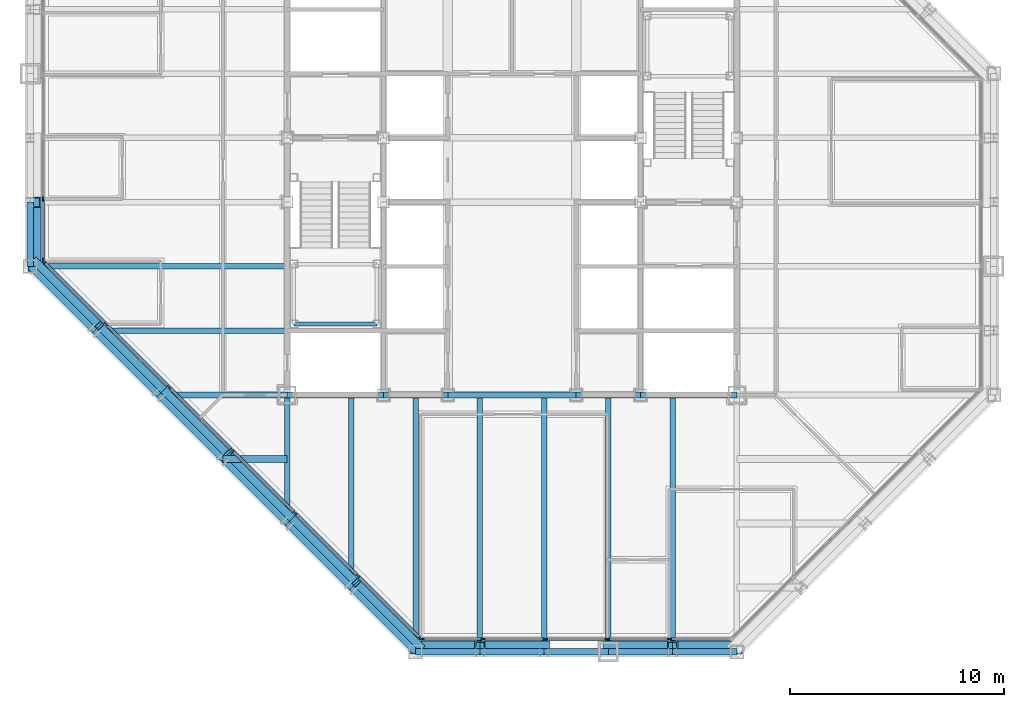
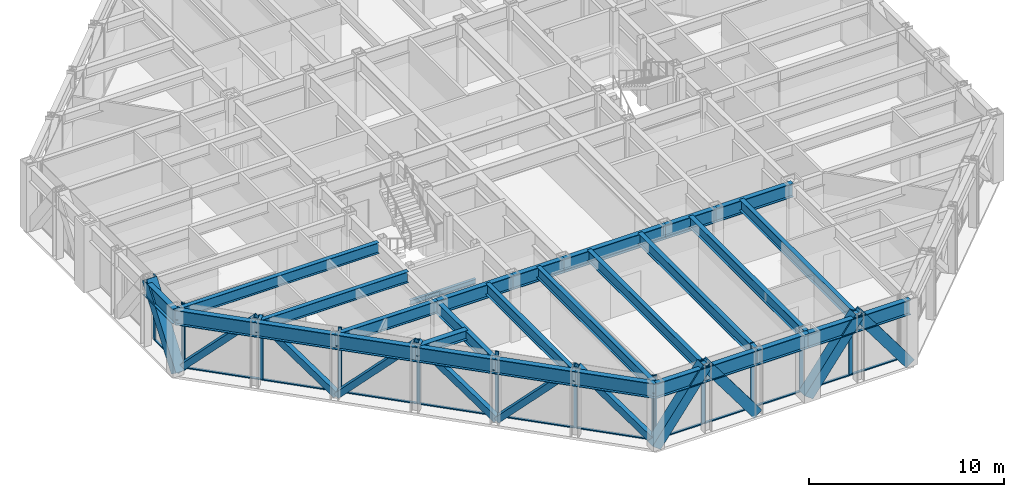
# One storey, part 5 of 16: 37 members, 29 beams, 3 elements without a shape of their own.
"""IFC4 building model written with IfcOpenShell, lengths in metres."""

import ifcopenshell
import ifcopenshell.guid

model = None  # the IFC model being written
_history = None  # IfcOwnerHistory: only IFC2X3 demands one
_inside = {}  # id of a spatial element -> (the spatial element, [elements in it])
_under = {}  # id of a project, library or spatial element -> (it, [spatial elements below it])
_declared = {}  # id of a project -> (the project, [libraries it declares])
_typed = {}  # id of a type object -> (the type object, [elements of that type])
_made_of = {}  # id of a material, layer set ... -> (it, [elements and type objects made of it])


def new_model(schema):
    """Start an empty IFC model of exactly this schema.

    Asked for "IFC4X3", IfcOpenShell would pick the latest addendum, in which some entities
    have other attributes; the version numbers below select the first issue.
    IFC2X3 requires an IfcOwnerHistory on every rooted entity: one is made here for all.
    """
    global model, _history
    if schema == "IFC4X3":
        model = ifcopenshell.file(schema_version=(4, 3, 0, 0))
    else:
        model = ifcopenshell.file(schema=schema)
    _inside.clear()
    _under.clear()
    _declared.clear()
    _typed.clear()
    _made_of.clear()
    _history = None
    if model.schema == "IFC2X3":
        org = make("IfcOrganization", Name="unknown")
        user = make(
            "IfcPersonAndOrganization",
            ThePerson=make("IfcPerson", FamilyName="unknown"),
            TheOrganization=org,
        )
        app = make(
            "IfcApplication",
            ApplicationDeveloper=org,
            Version="unknown",
            ApplicationFullName="unknown",
            ApplicationIdentifier="unknown",
        )
        _history = make(
            "IfcOwnerHistory",
            OwningUser=user,
            OwningApplication=app,
            ChangeAction="ADDED",
            CreationDate=0,
        )
    return model


def make(cls, **values):
    """One entity of the class cls with the attributes given. An attribute that is None is left unset."""
    return model.create_entity(
        cls, **{name: value for name, value in values.items() if value is not None}
    )


def rooted(cls, **values):
    """An entity with a GlobalId (a new one), such as an element, a storey or a relation."""
    return make(cls, GlobalId=ifcopenshell.guid.new(), OwnerHistory=_history, **values)


def si_unit(unit_type, name, prefix=None):
    """IfcSIUnit, for example si_unit("LENGTHUNIT", "METRE", prefix="MILLI")."""
    return make("IfcSIUnit", UnitType=unit_type, Prefix=prefix, Name=name)


def assignment(units):
    """IfcUnitAssignment: the units of a project."""
    return None if units is None else make("IfcUnitAssignment", Units=units)


def point(xyz):
    """IfcCartesianPoint."""
    return None if xyz is None else make("IfcCartesianPoint", Coordinates=xyz)


def direction(xyz):
    """IfcDirection."""
    return None if xyz is None else make("IfcDirection", DirectionRatios=xyz)


def frame(location, z_axis=None, x_axis=None):
    """IfcAxis2Placement3D, a coordinate frame: its origin and axes. An axis left out is left unset."""
    return make(
        "IfcAxis2Placement3D",
        Location=point(location),
        Axis=direction(z_axis),
        RefDirection=direction(x_axis),
    )


def frame_2d(location, x_axis=None):
    """IfcAxis2Placement2D, a coordinate frame in the plane: its origin and x axis."""
    return make(
        "IfcAxis2Placement2D", Location=point(location), RefDirection=direction(x_axis)
    )


def origin():
    """The frame at (0, 0, 0) with its axes left unset."""
    return frame((0.0, 0.0, 0.0))


def origin_2d():
    """The frame at (0, 0) in the plane with its x axis left unset."""
    return frame_2d((0.0, 0.0))


def place(relative_to, where):
    """IfcLocalPlacement: puts the frame where relative to a parent placement (None: the world)."""
    return make(
        "IfcLocalPlacement", PlacementRelTo=relative_to, RelativePlacement=where
    )


def context(
    kind, dimensions, precision=None, world=None, true_north=None, identifier=None
):
    """IfcGeometricRepresentationContext, for example the 3D "Model" context."""
    return make(
        "IfcGeometricRepresentationContext",
        ContextIdentifier=identifier,
        ContextType=kind,
        CoordinateSpaceDimension=dimensions,
        Precision=precision,
        WorldCoordinateSystem=world,
        TrueNorth=true_north,
    )


def subcontext(parent, identifier, kind, view, scale=None):
    """IfcGeometricRepresentationSubContext, for example "Body" below "Model"."""
    return make(
        "IfcGeometricRepresentationSubContext",
        ContextIdentifier=identifier,
        ContextType=kind,
        ParentContext=parent,
        TargetScale=scale,
        TargetView=view,
    )


def project(units=None, contexts=None):
    """IfcProject with its units and contexts."""
    return rooted(
        "IfcProject",
        Name="project",
        RepresentationContexts=contexts,
        UnitsInContext=assignment(units),
    )


def spatial(cls, under=None, at=None, **own):
    """A site, building, storey or space (cls), placed at a placement, below another one or the project."""
    s = rooted(cls, ObjectPlacement=at, **own)
    if under is not None:
        _under.setdefault(under.id(), (under, []))[1].append(s)
    return s


def profile(cls, at=None, kind="AREA", **sizes):
    """A parametric profile (cls). Its sizes go by their IFC names, for example OverallWidth=200.0."""
    return make(cls, ProfileType=kind, Position=at, **sizes)


def rectangle(**sizes):
    """IfcRectangleProfileDef."""
    return profile("IfcRectangleProfileDef", **sizes)


def hollow_rectangle(**sizes):
    """IfcRectangleHollowProfileDef."""
    return profile("IfcRectangleHollowProfileDef", **sizes)


def i_section(**sizes):
    """IfcIShapeProfileDef."""
    return profile("IfcIShapeProfileDef", **sizes)


def extrude(swept, where, along, depth):
    """IfcExtrudedAreaSolid: the profile swept, set in the frame where, extruded along a direction by depth."""
    return make(
        "IfcExtrudedAreaSolid",
        SweptArea=swept,
        Position=where,
        ExtrudedDirection=direction(along),
        Depth=depth,
    )


def shape(context_of_items, identifier, shape_type, items):
    """IfcShapeRepresentation: the items that make up one representation, for example the "Body"."""
    return make(
        "IfcShapeRepresentation",
        ContextOfItems=context_of_items,
        RepresentationIdentifier=identifier,
        RepresentationType=shape_type,
        Items=items,
    )


def material(Name=None, Category=None):
    """IfcMaterial."""
    return make("IfcMaterial", Name=Name, Category=Category)


def layer(
    of_material, thickness, ventilated=None, Name=None, Category=None, Priority=None
):
    """IfcMaterialLayer: one layer of a wall or slab, of a material (None: an air gap)."""
    return make(
        "IfcMaterialLayer",
        Material=of_material,
        LayerThickness=thickness,
        IsVentilated=ventilated,
        Name=Name,
        Category=Category,
        Priority=Priority,
    )


def layer_set(layers, Name=None):
    """IfcMaterialLayerSet."""
    return make("IfcMaterialLayerSet", MaterialLayers=layers, LayerSetName=Name)


def material_profile(
    of_material, cross_section, Name=None, Category=None, Priority=None
):
    """IfcMaterialProfile: a cross section and its material."""
    return make(
        "IfcMaterialProfile",
        Name=Name,
        Material=of_material,
        Profile=cross_section,
        Priority=Priority,
        Category=Category,
    )


def profile_set(profiles, Name=None, composite=None):
    """IfcMaterialProfileSet."""
    return make(
        "IfcMaterialProfileSet",
        Name=Name,
        MaterialProfiles=profiles,
        CompositeProfile=composite,
    )


def made_of(thing, what):
    """Note that an element or type object is made of a material, layer set ...; save() writes the relation."""
    if what is not None:
        _made_of.setdefault(what.id(), (what, []))[1].append(thing)
    return thing


def type_object(cls, material=None, **own):
    """A type object (cls), such as IfcWallType, which elements share."""
    return made_of(rooted(cls, **own), material)


def element(
    cls,
    number,
    at=None,
    inside=None,
    cuts=None,
    type_object=None,
    material=None,
    context=None,
    identifier="Body",
    shape_type=None,
    held_by="IfcProductDefinitionShape",
    body=None,
    shapes=None,
    **own,
):
    """One element of the class cls, such as IfcWall. Its Tag is "e" and its number.

    at: its placement. inside: the storey or other place that contains it. cuts: it is an
    opening in that element (IfcRelVoidsElement). A single representation is given by context,
    identifier, shape_type and body (its items); several are given by shapes. held_by: the class
    of the entity that holds the representations. save() writes the other relations.
    """
    e = rooted(cls, Tag="e%d" % number, ObjectPlacement=at, **own)
    if body is not None:
        shapes = [shape(context, identifier, shape_type, body)]
    if shapes is not None:
        e.Representation = make(held_by, Representations=shapes)
    if inside is not None:
        _inside.setdefault(inside.id(), (inside, []))[1].append(e)
    if cuts is not None:
        rooted(
            "IfcRelVoidsElement", RelatingBuildingElement=cuts, RelatedOpeningElement=e
        )
    if type_object is not None:
        _typed.setdefault(type_object.id(), (type_object, []))[1].append(e)
    return made_of(e, material)


def aggregate(whole, parts):
    """IfcRelAggregates: a whole, such as a stair, and the parts it consists of."""
    return rooted("IfcRelAggregates", RelatingObject=whole, RelatedObjects=parts)


def save(model, path):
    """Write the relations noted so far, then the file.

    IfcRelAggregates (storeys below a building ...), IfcRelContainedInSpatialStructure (elements
    in a storey), IfcRelDefinesByType, IfcRelAssociatesMaterial and IfcRelDeclares: one each for
    every whole, place, type object, material and project.
    """
    for whole, parts in _under.values():
        aggregate(whole, parts)
    for where, things in _inside.values():
        rooted(
            "IfcRelContainedInSpatialStructure",
            RelatedElements=things,
            RelatingStructure=where,
        )
    for kind, things in _typed.values():
        rooted("IfcRelDefinesByType", RelatedObjects=things, RelatingType=kind)
    for what, things in _made_of.values():
        rooted("IfcRelAssociatesMaterial", RelatedObjects=things, RelatingMaterial=what)
    for by, libraries in _declared.values():
        rooted("IfcRelDeclares", RelatingContext=by, RelatedDefinitions=libraries)
    model.write(path)


model = new_model("IFC4")

# Units and contexts
model_context = context("Model", 3, precision=1e-05, world=origin(), true_north=direction((0.0, 1.0)))
body_context = subcontext(model_context, "Body", "Model", "MODEL_VIEW")
ifc_project = project(units=[si_unit("LENGTHUNIT", "METRE"), si_unit("AREAUNIT", "SQUARE_METRE"), si_unit("VOLUMEUNIT", "CUBIC_METRE"), si_unit("PLANEANGLEUNIT", "RADIAN"), si_unit("MASSUNIT", "GRAM", prefix="KILO")], contexts=[model_context])

# Site, building, storey
site_placement = place(None, origin())
site = spatial("IfcSite", under=ifc_project, at=site_placement, CompositionType="ELEMENT")
building_placement = place(site_placement, origin())
building = spatial("IfcBuilding", under=site, at=building_placement, Name="Chuquiago Exchange Tower", CompositionType="ELEMENT")
storey_placement = place(building_placement, frame((0.0, 0.0, 239.10009765625)))
storey = spatial("IfcBuildingStorey", under=building, at=storey_placement, Name="L53", CompositionType="ELEMENT", Elevation=239.10009765625)

# Beams
ifc_material_1 = material(Name="Steel ASTM A992", Category="steel")
ifc_material_profile_1 = material_profile(ifc_material_1, i_section(OverallWidth=0.25390625, OverallDepth=0.683349609375, WebThickness=0.012451171875, FlangeThickness=0.018798828125, at=origin_2d()), Name="W27X94")
ifc_profile_set_1 = profile_set([ifc_material_profile_1], Name="Steel ASTM A992")
beam_type_1 = type_object("IfcBeamType", Name="B1 W27X94", PredefinedType="BEAM", material=ifc_profile_set_1)
beam_1_placement = place(storey_placement, frame((15.0, 12.0, 3.6982421875), z_axis=(0.0, -1.0, 0.0), x_axis=(1.0, 0.0, 0.0)))
element("IfcBeam", 1, at=beam_1_placement, inside=storey, type_object=beam_type_1, Name="FB-L54-infill-15_12-15_3-0", PredefinedType="BEAM", context=body_context, shape_type="SweptSolid", body=[
    extrude(i_section(OverallWidth=0.25390625, OverallDepth=0.683349609375, WebThickness=0.012451171875, FlangeThickness=0.018798828125, at=origin_2d()), origin(), (0.0, 0.0, 1.0), 9.0),
])
for number, where, z_axis, x_axis, name in (
    (2, (18.0, 12.0, 3.6982421875), (0.0, -1.0, 0.0), (1.0, 0.0, 0.0), "FB-L54-infill-18_12-18_-0-0"),
    (3, (21.0, 12.0, 3.6982421875), (0.0, -1.0, 0.0), (1.0, 0.0, 0.0), "FB-L54-infill-21_12-21_-0-0"),
    (4, (24.0, 12.0, 3.6982421875), (0.0, -1.0, 0.0), (1.0, 0.0, 0.0), "FB-L54-infill-24_12-24_-0-0"),
    (5, (27.0, 12.0, 3.6982421875), (0.0, -1.0, 0.0), (1.0, 0.0, 0.0), "FB-L54-infill-27_12-27_-0-0"),
    (6, (30.0, 12.0, 3.6982421875), (0.0, -1.0, 0.0), (1.0, 0.0, 0.0), "FB-L54-infill-30_12-30_-0-0"),
):
    element("IfcBeam", number, at=place(storey_placement, frame(where, z_axis=z_axis, x_axis=x_axis)), inside=storey, type_object=beam_type_1, Name=name, PredefinedType="BEAM", context=body_context, shape_type="SweptSolid", body=[
        extrude(i_section(OverallWidth=0.25390625, OverallDepth=0.683349609375, WebThickness=0.012451171875, FlangeThickness=0.018798828125, at=origin_2d()), origin(), (0.0, 0.0, 1.0), 12.0),
    ])
beam_2_placement = place(storey_placement, frame((12.0, 15.0, 3.6982421875), z_axis=(-1.0, 0.0, 0.0), x_axis=(0.0, -1.0, 0.0)))
element("IfcBeam", 7, at=beam_2_placement, inside=storey, type_object=beam_type_1, Name="FB-L54-infill-12_15-3_15-0", PredefinedType="BEAM", context=body_context, shape_type="SweptSolid", body=[
    extrude(i_section(OverallWidth=0.25390625, OverallDepth=0.683349609375, WebThickness=0.012451171875, FlangeThickness=0.018798828125, at=origin_2d()), origin(), (0.0, 0.0, 1.0), 9.0),
])
beam_3_placement = place(storey_placement, frame((12.0, 18.0, 3.6982421875), z_axis=(-1.0, 0.0, 0.0), x_axis=(0.0, -1.0, 0.0)))
element("IfcBeam", 8, at=beam_3_placement, inside=storey, type_object=beam_type_1, Name="FB-L54-infill-12_18--0_18-0", PredefinedType="BEAM", context=body_context, shape_type="SweptSolid", body=[
    extrude(i_section(OverallWidth=0.25390625, OverallDepth=0.683349609375, WebThickness=0.012451171875, FlangeThickness=0.018798828125, at=origin_2d()), origin(), (0.0, 0.0, 1.0), 12.0),
])
ifc_material_2 = material(Name="Steel ASTM A992", Category="steel")
ifc_material_profile_2 = material_profile(ifc_material_2, i_section(OverallWidth=0.3251953125, OverallDepth=0.612060546875, WebThickness=0.0126953125, FlangeThickness=0.01904296875, at=origin_2d()), Name="W24X104")
ifc_profile_set_2 = profile_set([ifc_material_profile_2], Name="Steel ASTM A992")
beam_type_2 = type_object("IfcBeamType", Name="B2 W24X104", PredefinedType="BEAM", material=ifc_profile_set_2)
beam_4_placement = place(storey_placement, frame((12.0, 9.0, 3.73388671875), z_axis=(-1.0, 0.0, 0.0), x_axis=(0.0, -1.0, 0.0)))
element("IfcBeam", 9, at=beam_4_placement, inside=storey, type_object=beam_type_2, Name="FB-L54-corner-12_9-9_9-0", PredefinedType="BEAM", context=body_context, shape_type="SweptSolid", body=[
    extrude(i_section(OverallWidth=0.3251953125, OverallDepth=0.612060546875, WebThickness=0.0126953125, FlangeThickness=0.01904296875, at=origin_2d()), origin(), (0.0, 0.0, 1.0), 3.0),
])
ifc_material_3 = material(Name="Steel ASTM A992", Category="steel")
ifc_material_profile_3 = material_profile(ifc_material_3, i_section(OverallWidth=0.2919921875, OverallDepth=0.8583984375, WebThickness=0.01708984375, FlangeThickness=0.031005859375, at=origin_2d()), Name="W33X169")
ifc_profile_set_3 = profile_set([ifc_material_profile_3], Name="Steel ASTM A992")
beam_type_3 = type_object("IfcBeamType", Name="B3 W33X169", PredefinedType="BEAM", material=ifc_profile_set_3)
beam_5_placement = place(storey_placement, frame((12.0, 12.0, 3.610595703125), z_axis=(1.0, 0.0, 0.0), x_axis=(0.0, 1.0, 0.0)))
element("IfcBeam", 10, at=beam_5_placement, inside=storey, type_object=beam_type_3, Name="CB-L54-12_12-16.5_12", PredefinedType="BEAM", context=body_context, shape_type="SweptSolid", body=[
    extrude(i_section(OverallWidth=0.2919921875, OverallDepth=0.8583984375, WebThickness=0.01708984375, FlangeThickness=0.031005859375, at=origin_2d()), origin(), (0.0, 0.0, 1.0), 4.5),
])
beam_6_placement = place(storey_placement, frame((16.5, 12.0, 3.610595703125), z_axis=(1.0, 0.0, 0.0), x_axis=(0.0, 1.0, 0.0)))
element("IfcBeam", 11, at=beam_6_placement, inside=storey, type_object=beam_type_3, Name="CB-L54-16.5_12-19.5_12", PredefinedType="BEAM", context=body_context, shape_type="SweptSolid", body=[
    extrude(i_section(OverallWidth=0.2919921875, OverallDepth=0.8583984375, WebThickness=0.01708984375, FlangeThickness=0.031005859375, at=origin_2d()), origin(), (0.0, 0.0, 1.0), 3.0),
])
beam_7_placement = place(storey_placement, frame((19.5, 12.0, 3.610595703125), z_axis=(1.0, 0.0, 0.0), x_axis=(0.0, 1.0, 0.0)))
element("IfcBeam", 12, at=beam_7_placement, inside=storey, type_object=beam_type_3, Name="CB-L54-19.5_12-25.5_12", PredefinedType="BEAM", context=body_context, shape_type="SweptSolid", body=[
    extrude(i_section(OverallWidth=0.2919921875, OverallDepth=0.8583984375, WebThickness=0.01708984375, FlangeThickness=0.031005859375, at=origin_2d()), origin(), (0.0, 0.0, 1.0), 6.0),
])
beam_8_placement = place(storey_placement, frame((25.5, 12.0, 3.610595703125), z_axis=(1.0, 0.0, 0.0), x_axis=(0.0, 1.0, 0.0)))
element("IfcBeam", 13, at=beam_8_placement, inside=storey, type_object=beam_type_3, Name="CB-L54-25.5_12-28.5_12", PredefinedType="BEAM", context=body_context, shape_type="SweptSolid", body=[
    extrude(i_section(OverallWidth=0.2919921875, OverallDepth=0.8583984375, WebThickness=0.01708984375, FlangeThickness=0.031005859375, at=origin_2d()), origin(), (0.0, 0.0, 1.0), 3.0),
])
beam_9_placement = place(storey_placement, frame((28.5, 12.0, 3.610595703125), z_axis=(1.0, 0.0, 0.0), x_axis=(0.0, 1.0, 0.0)))
element("IfcBeam", 14, at=beam_9_placement, inside=storey, type_object=beam_type_3, Name="CB-L54-28.5_12-33_12", PredefinedType="BEAM", context=body_context, shape_type="SweptSolid", body=[
    extrude(i_section(OverallWidth=0.2919921875, OverallDepth=0.8583984375, WebThickness=0.01708984375, FlangeThickness=0.031005859375, at=origin_2d()), origin(), (0.0, 0.0, 1.0), 4.5),
])

# Curtain wall, members
ifc_material_4 = material(Name="Aluminium curtain wall system", Category="aluminium")
ifc_layer_1 = layer(ifc_material_4, 0.22509765625)
ifc_layer_set_1 = layer_set([ifc_layer_1], Name="CW2 office curtain wall")
curtain_wall_type_1 = type_object("IfcCurtainWallType", Name="CW2 office curtain wall", PredefinedType="NOTDEFINED", material=ifc_layer_set_1)
curtain_wall_1_placement = place(storey_placement, origin())
curtain_wall_1 = element("IfcCurtainWall", 15, at=curtain_wall_1_placement, inside=storey, type_object=curtain_wall_type_1, Name="CW2 curtain wall L53", PredefinedType="NOTDEFINED")
ifc_material_5 = material(Name="Aluminium mullion, pale anodised", Category="aluminium")
ifc_material_profile_4 = material_profile(ifc_material_5, rectangle(XDim=0.06494140625, YDim=0.22509765625, at=origin_2d()), Name="AL 65x225")
ifc_profile_set_4 = profile_set([ifc_material_profile_4], Name="Aluminium mullion, pale anodised")
member_type_1 = type_object("IfcMemberType", Name="CW2-M mullion 65x225", PredefinedType="MULLION", material=ifc_profile_set_4)
member_1_placement = place(storey_placement, frame((18.281005859375, 0.60009765625, 0.0), z_axis=(0.0, 0.0, 1.0), x_axis=(0.0, 1.0, 0.0)))
member_1 = element("IfcMember", 16, at=member_1_placement, type_object=member_type_1, Name="CW2 mullion 1", PredefinedType="MULLION", context=body_context, shape_type="SweptSolid", body=[
    extrude(rectangle(XDim=0.06494140625, YDim=0.22509765625, at=origin_2d()), origin(), (0.0, 0.0, 1.0), 4.039794921875),
])
member_2_placement = place(storey_placement, frame((21.149169921875, 0.60009765625, 0.0), z_axis=(0.0, 0.0, 1.0), x_axis=(0.0, 1.0, 0.0)))
member_2 = element("IfcMember", 17, at=member_2_placement, type_object=member_type_1, Name="CW2 mullion 2", PredefinedType="MULLION", context=body_context, shape_type="SweptSolid", body=[
    extrude(rectangle(XDim=0.06494140625, YDim=0.22509765625, at=origin_2d()), origin(), (0.0, 0.0, 1.0), 4.039794921875),
])
member_3_placement = place(storey_placement, frame((24.0498046875, 0.60009765625, 0.0), z_axis=(0.0, 0.0, 1.0), x_axis=(0.0, 1.0, 0.0)))
member_3 = element("IfcMember", 18, at=member_3_placement, type_object=member_type_1, Name="CW2 mullion 3", PredefinedType="MULLION", context=body_context, shape_type="SweptSolid", body=[
    extrude(rectangle(XDim=0.06494140625, YDim=0.22509765625, at=origin_2d()), origin(), (0.0, 0.0, 1.0), 4.039794921875),
])
member_4_placement = place(storey_placement, frame((26.9501953125, 0.60009765625, 0.0), z_axis=(0.0, 0.0, 1.0), x_axis=(0.0, 1.0, 0.0)))
member_4 = element("IfcMember", 19, at=member_4_placement, type_object=member_type_1, Name="CW2 mullion 4", PredefinedType="MULLION", context=body_context, shape_type="SweptSolid", body=[
    extrude(rectangle(XDim=0.06494140625, YDim=0.22509765625, at=origin_2d()), origin(), (0.0, 0.0, 1.0), 4.039794921875),
])
member_5_placement = place(storey_placement, frame((29.850830078125, 0.60009765625, 0.0), z_axis=(0.0, 0.0, 1.0), x_axis=(0.0, 1.0, 0.0)))
member_5 = element("IfcMember", 20, at=member_5_placement, type_object=member_type_1, Name="CW2 mullion 5", PredefinedType="MULLION", context=body_context, shape_type="SweptSolid", body=[
    extrude(rectangle(XDim=0.06494140625, YDim=0.22509765625, at=origin_2d()), origin(), (0.0, 0.0, 1.0), 4.039794921875),
])

curtain_wall_2_placement = place(storey_placement, origin())
curtain_wall_2 = element("IfcCurtainWall", 21, at=curtain_wall_2_placement, inside=storey, type_object=curtain_wall_type_1, Name="CW2 curtain wall L53", PredefinedType="NOTDEFINED")
member_6_placement = place(storey_placement, frame((0.60009765625, 21.149169921875, 0.0), z_axis=(0.0, 0.0, 1.0), x_axis=(1.0, 0.0, 0.0)))
member_6 = element("IfcMember", 22, at=member_6_placement, type_object=member_type_1, Name="CW2 mullion 5", PredefinedType="MULLION", context=body_context, shape_type="SweptSolid", body=[
    extrude(rectangle(XDim=0.06494140625, YDim=0.22509765625, at=origin_2d()), origin(), (0.0, 0.0, 1.0), 4.039794921875),
])
member_7_placement = place(storey_placement, frame((0.60009765625, 18.281005859375, 0.0), z_axis=(0.0, 0.0, 1.0), x_axis=(1.0, 0.0, 0.0)))
member_7 = element("IfcMember", 23, at=member_7_placement, type_object=member_type_1, Name="CW2 mullion 6", PredefinedType="MULLION", context=body_context, shape_type="SweptSolid", body=[
    extrude(rectangle(XDim=0.06494140625, YDim=0.22509765625, at=origin_2d()), origin(), (0.0, 0.0, 1.0), 4.039794921875),
])

# Member
ifc_material_6 = material(Name="Aluminium transom, pale anodised", Category="aluminium")
ifc_material_profile_5 = material_profile(ifc_material_6, rectangle(XDim=0.139892578125, YDim=0.06494140625, at=origin_2d()), Name="AL 140x65")
ifc_profile_set_5 = profile_set([ifc_material_profile_5], Name="Aluminium transom, pale anodised")
member_type_2 = type_object("IfcMemberType", Name="CW2-T transom 65x140", PredefinedType="MULLION", material=ifc_profile_set_5)
member_8_placement = place(storey_placement, frame((18.3134765625, 0.60009765625, 0.032470703125), z_axis=(1.0, 0.0, 0.0), x_axis=(0.0, 1.0, 0.0)))
member_8 = element("IfcMember", 24, at=member_8_placement, type_object=member_type_2, Name="CW2 transom 1.1", PredefinedType="MULLION", context=body_context, shape_type="SweptSolid", body=[
    extrude(rectangle(XDim=0.139892578125, YDim=0.06494140625, at=origin_2d()), origin(), (0.0, 0.0, 1.0), 2.80322265625),
])

member_9_placement = place(storey_placement, frame((21.181640625, 0.60009765625, 0.032470703125), z_axis=(1.0, 0.0, 0.0), x_axis=(0.0, 1.0, 0.0)))
member_9 = element("IfcMember", 25, at=member_9_placement, type_object=member_type_2, Name="CW2 transom 2.1", PredefinedType="MULLION", context=body_context, shape_type="SweptSolid", body=[
    extrude(rectangle(XDim=0.139892578125, YDim=0.06494140625, at=origin_2d()), origin(), (0.0, 0.0, 1.0), 2.83544921875),
])

member_10_placement = place(storey_placement, frame((24.082275390625, 0.60009765625, 0.032470703125), z_axis=(1.0, 0.0, 0.0), x_axis=(0.0, 1.0, 0.0)))
member_10 = element("IfcMember", 26, at=member_10_placement, type_object=member_type_2, Name="CW2 transom 3.1", PredefinedType="MULLION", context=body_context, shape_type="SweptSolid", body=[
    extrude(rectangle(XDim=0.139892578125, YDim=0.06494140625, at=origin_2d()), origin(), (0.0, 0.0, 1.0), 2.83544921875),
])

member_11_placement = place(storey_placement, frame((26.98291015625, 0.60009765625, 0.032470703125), z_axis=(1.0, 0.0, 0.0), x_axis=(0.0, 1.0, 0.0)))
member_11 = element("IfcMember", 27, at=member_11_placement, type_object=member_type_2, Name="CW2 transom 4.1", PredefinedType="MULLION", context=body_context, shape_type="SweptSolid", body=[
    extrude(rectangle(XDim=0.139892578125, YDim=0.06494140625, at=origin_2d()), origin(), (0.0, 0.0, 1.0), 2.83544921875),
])

member_12_placement = place(storey_placement, frame((29.88330078125, 0.60009765625, 0.032470703125), z_axis=(1.0, 0.0, 0.0), x_axis=(0.0, 1.0, 0.0)))
member_12 = element("IfcMember", 28, at=member_12_placement, type_object=member_type_2, Name="CW2 transom 5.1", PredefinedType="MULLION", context=body_context, shape_type="SweptSolid", body=[
    extrude(rectangle(XDim=0.139892578125, YDim=0.06494140625, at=origin_2d()), origin(), (0.0, 0.0, 1.0), 2.80322265625),
])

aggregate(curtain_wall_1, [member_1, member_2, member_3, member_4, member_5, member_8, member_9, member_10, member_11, member_12])

member_13_placement = place(storey_placement, frame((0.60009765625, 21.11669921875, 0.032470703125), z_axis=(0.0, -1.0, 0.0), x_axis=(1.0, 0.0, 0.0)))
member_13 = element("IfcMember", 29, at=member_13_placement, type_object=member_type_2, Name="CW2 transom 5.1", PredefinedType="MULLION", context=body_context, shape_type="SweptSolid", body=[
    extrude(rectangle(XDim=0.139892578125, YDim=0.06494140625, at=origin_2d()), origin(), (0.0, 0.0, 1.0), 2.80322265625),
])

aggregate(curtain_wall_2, [member_6, member_7, member_13])

# Curtain wall, members
ifc_material_7 = material(Name="Aluminium curtain wall system", Category="aluminium")
ifc_layer_2 = layer(ifc_material_7, 0.199951171875)
ifc_layer_set_2 = layer_set([ifc_layer_2], Name="CW3 facet curtain wall")
curtain_wall_type_2 = type_object("IfcCurtainWallType", Name="CW3 facet curtain wall", PredefinedType="NOTDEFINED", material=ifc_layer_set_2)
curtain_wall_3_placement = place(storey_placement, origin())
curtain_wall_3 = element("IfcCurtainWall", 30, at=curtain_wall_3_placement, inside=storey, type_object=curtain_wall_type_2, Name="CW3 curtain wall L53", PredefinedType="NOTDEFINED")
ifc_material_8 = material(Name="Aluminium mullion, pale anodised", Category="aluminium")
ifc_material_profile_6 = material_profile(ifc_material_8, rectangle(XDim=0.06494140625, YDim=0.199951171875, at=origin_2d()), Name="AL 65x200")
ifc_profile_set_6 = profile_set([ifc_material_profile_6], Name="Aluminium mullion, pale anodised")
member_type_3 = type_object("IfcMemberType", Name="CW3-M mullion 65x200", PredefinedType="MULLION", material=ifc_profile_set_6)
member_14_placement = place(storey_placement, frame((0.623046875, 18.2255859375, 0.0), z_axis=(0.0, 0.0, 1.0), x_axis=(0.707106781187, 0.707106781187, 0.0)))
member_14 = element("IfcMember", 31, at=member_14_placement, type_object=member_type_3, Name="CW3 mullion 1", PredefinedType="MULLION", context=body_context, shape_type="SweptSolid", body=[
    extrude(rectangle(XDim=0.06494140625, YDim=0.199951171875, at=origin_2d()), origin(), (0.0, 0.0, 1.0), 4.039794921875),
])
member_15_placement = place(storey_placement, frame((3.54150390625, 15.30712890625, 0.0), z_axis=(0.0, 0.0, 1.0), x_axis=(0.707106781187, 0.707106781187, 0.0)))
member_15 = element("IfcMember", 32, at=member_15_placement, type_object=member_type_3, Name="CW3 mullion 2", PredefinedType="MULLION", context=body_context, shape_type="SweptSolid", body=[
    extrude(rectangle(XDim=0.06494140625, YDim=0.199951171875, at=origin_2d()), origin(), (0.0, 0.0, 1.0), 4.039794921875),
])
member_16_placement = place(storey_placement, frame((6.48291015625, 12.36572265625, 0.0), z_axis=(0.0, 0.0, 1.0), x_axis=(0.707106781187, 0.707106781187, 0.0)))
member_16 = element("IfcMember", 33, at=member_16_placement, type_object=member_type_3, Name="CW3 mullion 3", PredefinedType="MULLION", context=body_context, shape_type="SweptSolid", body=[
    extrude(rectangle(XDim=0.06494140625, YDim=0.199951171875, at=origin_2d()), origin(), (0.0, 0.0, 1.0), 4.039794921875),
])
member_17_placement = place(storey_placement, frame((9.42431640625, 9.42431640625, 0.0), z_axis=(0.0, 0.0, 1.0), x_axis=(0.707106781187, 0.707106781187, 0.0)))
member_17 = element("IfcMember", 34, at=member_17_placement, type_object=member_type_3, Name="CW3 mullion 4", PredefinedType="MULLION", context=body_context, shape_type="SweptSolid", body=[
    extrude(rectangle(XDim=0.06494140625, YDim=0.199951171875, at=origin_2d()), origin(), (0.0, 0.0, 1.0), 4.039794921875),
])
member_18_placement = place(storey_placement, frame((12.36572265625, 6.48291015625, 0.0), z_axis=(0.0, 0.0, 1.0), x_axis=(0.707106781187, 0.707106781187, 0.0)))
member_18 = element("IfcMember", 35, at=member_18_placement, type_object=member_type_3, Name="CW3 mullion 5", PredefinedType="MULLION", context=body_context, shape_type="SweptSolid", body=[
    extrude(rectangle(XDim=0.06494140625, YDim=0.199951171875, at=origin_2d()), origin(), (0.0, 0.0, 1.0), 4.039794921875),
])
member_19_placement = place(storey_placement, frame((15.30712890625, 3.54150390625, 0.0), z_axis=(0.0, 0.0, 1.0), x_axis=(0.707106781187, 0.707106781187, 0.0)))
member_19 = element("IfcMember", 36, at=member_19_placement, type_object=member_type_3, Name="CW3 mullion 6", PredefinedType="MULLION", context=body_context, shape_type="SweptSolid", body=[
    extrude(rectangle(XDim=0.06494140625, YDim=0.199951171875, at=origin_2d()), origin(), (0.0, 0.0, 1.0), 4.039794921875),
])
member_20_placement = place(storey_placement, frame((18.2255859375, 0.623046875, 0.0), z_axis=(0.0, 0.0, 1.0), x_axis=(0.707106781187, 0.707106781187, 0.0)))
member_20 = element("IfcMember", 37, at=member_20_placement, type_object=member_type_3, Name="CW3 mullion 7", PredefinedType="MULLION", context=body_context, shape_type="SweptSolid", body=[
    extrude(rectangle(XDim=0.06494140625, YDim=0.199951171875, at=origin_2d()), origin(), (0.0, 0.0, 1.0), 4.039794921875),
])
ifc_material_9 = material(Name="Aluminium transom, pale anodised", Category="aluminium")
ifc_material_profile_7 = material_profile(ifc_material_9, rectangle(XDim=0.139892578125, YDim=0.06494140625, at=origin_2d()), Name="AL 140x65")
ifc_profile_set_7 = profile_set([ifc_material_profile_7], Name="Aluminium transom, pale anodised")
member_type_4 = type_object("IfcMemberType", Name="CW3-T transom 65x140", PredefinedType="MULLION", material=ifc_profile_set_7)
member_21_placement = place(storey_placement, frame((0.64599609375, 18.20263671875, 0.032470703125), z_axis=(0.707106781187, -0.707106781187, 0.0), x_axis=(0.707106781187, 0.707106781187, 0.0)))
member_21 = element("IfcMember", 38, at=member_21_placement, type_object=member_type_4, Name="CW3 transom 1.1", PredefinedType="MULLION", context=body_context, shape_type="SweptSolid", body=[
    extrude(rectangle(XDim=0.139892578125, YDim=0.06494140625, at=origin_2d()), origin(), (0.0, 0.0, 1.0), 4.0625),
])
member_22_placement = place(storey_placement, frame((3.564453125, 15.2841796875, 0.032470703125), z_axis=(0.707106781187, -0.707106781187, 0.0), x_axis=(0.707106781187, 0.707106781187, 0.0)))
member_22 = element("IfcMember", 39, at=member_22_placement, type_object=member_type_4, Name="CW3 transom 2.1", PredefinedType="MULLION", context=body_context, shape_type="SweptSolid", body=[
    extrude(rectangle(XDim=0.139892578125, YDim=0.06494140625, at=origin_2d()), origin(), (0.0, 0.0, 1.0), 4.094970703125),
])
member_23_placement = place(storey_placement, frame((6.505859375, 12.3427734375, 0.032470703125), z_axis=(0.707106781187, -0.707106781187, 0.0), x_axis=(0.707106781187, 0.707106781187, 0.0)))
member_23 = element("IfcMember", 40, at=member_23_placement, type_object=member_type_4, Name="CW3 transom 3.1", PredefinedType="MULLION", context=body_context, shape_type="SweptSolid", body=[
    extrude(rectangle(XDim=0.139892578125, YDim=0.06494140625, at=origin_2d()), origin(), (0.0, 0.0, 1.0), 4.094970703125),
])
member_24_placement = place(storey_placement, frame((9.447265625, 9.4013671875, 0.032470703125), z_axis=(0.707106781187, -0.707106781187, 0.0), x_axis=(0.707106781187, 0.707106781187, 0.0)))
member_24 = element("IfcMember", 41, at=member_24_placement, type_object=member_type_4, Name="CW3 transom 4.1", PredefinedType="MULLION", context=body_context, shape_type="SweptSolid", body=[
    extrude(rectangle(XDim=0.139892578125, YDim=0.06494140625, at=origin_2d()), origin(), (0.0, 0.0, 1.0), 4.094970703125),
])
member_25_placement = place(storey_placement, frame((12.388671875, 6.4599609375, 0.032470703125), z_axis=(0.707106781187, -0.707106781187, 0.0), x_axis=(0.707106781187, 0.707106781187, 0.0)))
member_25 = element("IfcMember", 42, at=member_25_placement, type_object=member_type_4, Name="CW3 transom 5.1", PredefinedType="MULLION", context=body_context, shape_type="SweptSolid", body=[
    extrude(rectangle(XDim=0.139892578125, YDim=0.06494140625, at=origin_2d()), origin(), (0.0, 0.0, 1.0), 4.094970703125),
])
member_26_placement = place(storey_placement, frame((15.330078125, 3.5185546875, 0.032470703125), z_axis=(0.707106781187, -0.707106781187, 0.0), x_axis=(0.707106781187, 0.707106781187, 0.0)))
member_26 = element("IfcMember", 43, at=member_26_placement, type_object=member_type_4, Name="CW3 transom 6.1", PredefinedType="MULLION", context=body_context, shape_type="SweptSolid", body=[
    extrude(rectangle(XDim=0.139892578125, YDim=0.06494140625, at=origin_2d()), origin(), (0.0, 0.0, 1.0), 4.0625),
])
aggregate(curtain_wall_3, [member_14, member_15, member_16, member_17, member_18, member_19, member_20, member_21, member_22, member_23, member_24, member_25, member_26])

# Beams
ifc_material_10 = material(Name="Steel ASTM A992", Category="steel")
ifc_material_profile_8 = material_profile(ifc_material_10, i_section(OverallWidth=0.2666015625, OverallDepth=0.76953125, WebThickness=0.015625, FlangeThickness=0.025390625, at=origin_2d()), Name="W30X132")
ifc_profile_set_8 = profile_set([ifc_material_profile_8], Name="Steel ASTM A992")
beam_type_4 = type_object("IfcBeamType", Name="G1 W30X132", PredefinedType="BEAM", material=ifc_profile_set_8)
for number, where, z_axis, x_axis, name in (
    (44, (12.0, 12.0, 3.655029296875), (0.0, -1.0, 0.0), (1.0, 0.0, 0.0), "FB-L54-girder-12_12-12_6-0"),
    (45, (12.0, 12.0, 3.655029296875), (-1.0, 0.0, 0.0), (0.0, -1.0, 0.0), "FB-L54-girder-12_12-6_12-0"),
):
    element("IfcBeam", number, at=place(storey_placement, frame(where, z_axis=z_axis, x_axis=x_axis)), inside=storey, type_object=beam_type_4, Name=name, PredefinedType="BEAM", context=body_context, shape_type="SweptSolid", body=[
        extrude(i_section(OverallWidth=0.2666015625, OverallDepth=0.76953125, WebThickness=0.015625, FlangeThickness=0.025390625, at=origin_2d()), origin(), (0.0, 0.0, 1.0), 6.0),
    ])

# Members
ifc_material_11 = material(Name="Steel ASTM A500 Grade C", Category="steel")
ifc_material_profile_9 = material_profile(ifc_material_11, hollow_rectangle(XDim=0.355712890625, YDim=0.355712890625, WallThickness=0.0146484375, at=origin_2d()), Name="HSS14X14X5/8")
ifc_profile_set_9 = profile_set([ifc_material_profile_9], Name="Steel ASTM A500 Grade C")
member_type_5 = type_object("IfcMemberType", Name="LB2 HSS14X14X5/8", PredefinedType="BRACE", material=ifc_profile_set_9)
for number, where, z_axis, x_axis, name in (
    (46, (0.2314453125, 18.2314453125, 0.0), (0.51209198167, -0.51209198167, 0.689582195694), (0.707106781187, 0.707106781187, 0.0), "LB-L53-0_18-3_15"),
    (47, (6.2314453125, 12.2314453125, 0.0), (-0.51209198167, 0.51209198167, 0.689582195694), (-0.707106781187, -0.707106781187, 0.0), "LB-L53-3_15-6_12"),
    (48, (6.2314453125, 12.2314453125, 0.0), (0.51209198167, -0.51209198167, 0.689582195694), (0.707106781187, 0.707106781187, 0.0), "LB-L53-6_12-9_9"),
    (49, (12.2314453125, 6.2314453125, 0.0), (-0.51209198167, 0.51209198167, 0.689582195694), (-0.707106781187, -0.707106781187, 0.0), "LB-L53-9_9-12_6"),
    (50, (12.2314453125, 6.2314453125, 0.0), (0.51209198167, -0.51209198167, 0.689582195694), (0.707106781187, 0.707106781187, 0.0), "LB-L53-12_6-15_3"),
    (51, (18.2314453125, 0.2314453125, 0.0), (-0.51209198167, 0.51209198167, 0.689582195694), (-0.707106781187, -0.707106781187, 0.0), "LB-L53-15_3-18_0"),
):
    element("IfcMember", number, at=place(storey_placement, frame(where, z_axis=z_axis, x_axis=x_axis)), inside=storey, type_object=member_type_5, Name=name, PredefinedType="BRACE", context=body_context, shape_type="SweptSolid", body=[
        extrude(hollow_rectangle(XDim=0.355712890625, YDim=0.355712890625, WallThickness=0.0146484375, at=origin_2d()), origin(), (0.0, 0.0, 1.0), 5.8583984375),
    ])

# Beam
ifc_material_12 = material(Name="Steel ASTM A992", Category="steel")
ifc_material_profile_10 = material_profile(ifc_material_12, i_section(OverallWidth=0.164794921875, OverallDepth=0.309814453125, WebThickness=0.005859375, FlangeThickness=0.009765625, at=origin_2d()), Name="W12X26")
ifc_profile_set_10 = profile_set([ifc_material_profile_10], Name="Steel ASTM A992")
beam_type_5 = type_object("IfcBeamType", Name="LT1 W12X26", PredefinedType="BEAM", material=ifc_profile_set_10)
beam_10_placement = place(storey_placement, frame((12.31005859375, 15.31005859375, 1.7451171875), z_axis=(1.0, 0.0, 0.0), x_axis=(0.0, 1.0, 0.0)))
element("IfcBeam", 52, at=beam_10_placement, inside=storey, type_object=beam_type_5, Name="Stair ST1 L53 landing 1 trimmer", PredefinedType="BEAM", context=body_context, shape_type="SweptSolid", body=[
    extrude(i_section(OverallWidth=0.164794921875, OverallDepth=0.309814453125, WebThickness=0.005859375, FlangeThickness=0.009765625, at=origin_2d()), origin(), (0.0, 0.0, 1.0), 3.8798828125),
])

# Members
ifc_material_13 = material(Name="Steel ASTM A572 Grade 50", Category="steel")
ifc_material_profile_11 = material_profile(ifc_material_13, hollow_rectangle(XDim=0.60009765625, YDim=0.60009765625, WallThickness=0.06005859375, at=origin_2d()), Name="BOX600X600X60")
ifc_profile_set_11 = profile_set([ifc_material_profile_11], Name="Steel ASTM A572 Grade 50")
member_type_6 = type_object("IfcMemberType", Name="MB3 BOX600X600X60", PredefinedType="BRACE", material=ifc_profile_set_11)
for number, where, z_axis, x_axis, name in (
    (53, (18.0, 0.205078125, 0.0), (0.596197146086, 0.0, 0.802838067732), (0.0, 1.0, 0.0), "Mega diagonal L53 S face"),
    (54, (24.0, 0.205078125, 0.0), (-0.596197146086, 0.0, 0.802838067732), (0.0, -1.0, 0.0), "Mega diagonal L53 S face"),
    (55, (27.0, 0.205078125, 0.0), (0.596197146086, 0.0, 0.802838067732), (0.0, 1.0, 0.0), "Mega diagonal L53 S face"),
    (56, (33.0, 0.205078125, 0.0), (-0.596197146086, 0.0, 0.802838067732), (0.0, -1.0, 0.0), "Mega diagonal L53 S face"),
    (57, (0.205078125, 18.0, 0.0), (0.0, 0.596197146086, 0.802838067732), (-1.0, 0.0, 0.0), "Mega diagonal L53 W face"),
):
    element("IfcMember", number, at=place(storey_placement, frame(where, z_axis=z_axis, x_axis=x_axis)), inside=storey, type_object=member_type_6, Name=name, PredefinedType="BRACE", context=body_context, shape_type="SweptSolid", body=[
        extrude(hollow_rectangle(XDim=0.60009765625, YDim=0.60009765625, WallThickness=0.06005859375, at=origin_2d()), origin(), (0.0, 0.0, 1.0), 5.031982421875),
    ])

# Beams
ifc_material_14 = material(Name="Steel ASTM A992", Category="steel")
ifc_material_profile_12 = material_profile(ifc_material_14, i_section(OverallWidth=0.307373046875, OverallDepth=0.927001953125, WebThickness=0.01953125, FlangeThickness=0.031982421875, at=origin_2d()), Name="W36X194")
ifc_profile_set_12 = profile_set([ifc_material_profile_12], Name="Steel ASTM A992")
beam_type_6 = type_object("IfcBeamType", Name="SP3 W36X194", PredefinedType="SPANDREL", material=ifc_profile_set_12)
for number, where, z_axis, x_axis, name in (
    (58, (18.0, 0.0, 3.576416015625), (1.0, 0.0, 0.0), (0.0, 1.0, 0.0), "SPB-L54-18_0-21_0"),
    (59, (21.0, 0.0, 3.576416015625), (1.0, 0.0, 0.0), (0.0, 1.0, 0.0), "SPB-L54-21_0-24_0"),
    (60, (24.0, 0.0, 3.576416015625), (1.0, 0.0, 0.0), (0.0, 1.0, 0.0), "SPB-L54-24_0-27_0"),
    (61, (27.0, 0.0, 3.576416015625), (1.0, 0.0, 0.0), (0.0, 1.0, 0.0), "SPB-L54-27_0-30_0"),
    (62, (30.0, 0.0, 3.576416015625), (1.0, 0.0, 0.0), (0.0, 1.0, 0.0), "SPB-L54-30_0-33_0"),
    (63, (0.0, 21.0, 3.576416015625), (0.0, -1.0, 0.0), (1.0, 0.0, 0.0), "SPB-L54-0_21-0_18"),
):
    element("IfcBeam", number, at=place(storey_placement, frame(where, z_axis=z_axis, x_axis=x_axis)), inside=storey, type_object=beam_type_6, Name=name, PredefinedType="SPANDREL", context=body_context, shape_type="SweptSolid", body=[
        extrude(i_section(OverallWidth=0.307373046875, OverallDepth=0.927001953125, WebThickness=0.01953125, FlangeThickness=0.031982421875, at=origin_2d()), origin(), (0.0, 0.0, 1.0), 3.0),
    ])
for number, where, z_axis, x_axis, name in (
    (64, (0.0, 18.0, 3.576416015625), (0.707106781187, -0.707106781187, 0.0), (0.707106781187, 0.707106781187, 0.0), "SPB-L54-0_18-3_15"),
    (65, (3.0, 15.0, 3.576416015625), (0.707106781187, -0.707106781187, 0.0), (0.707106781187, 0.707106781187, 0.0), "SPB-L54-3_15-6_12"),
    (66, (6.0, 12.0, 3.576416015625), (0.707106781187, -0.707106781187, 0.0), (0.707106781187, 0.707106781187, 0.0), "SPB-L54-6_12-9_9"),
    (67, (9.0, 9.0, 3.576416015625), (0.707106781187, -0.707106781187, 0.0), (0.707106781187, 0.707106781187, 0.0), "SPB-L54-9_9-12_6"),
    (68, (12.0, 6.0, 3.576416015625), (0.707106781187, -0.707106781187, 0.0), (0.707106781187, 0.707106781187, 0.0), "SPB-L54-12_6-15_3"),
    (69, (15.0, 3.0, 3.576416015625), (0.707106781187, -0.707106781187, 0.0), (0.707106781187, 0.707106781187, 0.0), "SPB-L54-15_3-18_0"),
):
    element("IfcBeam", number, at=place(storey_placement, frame(where, z_axis=z_axis, x_axis=x_axis)), inside=storey, type_object=beam_type_6, Name=name, PredefinedType="SPANDREL", context=body_context, shape_type="SweptSolid", body=[
        extrude(i_section(OverallWidth=0.307373046875, OverallDepth=0.927001953125, WebThickness=0.01953125, FlangeThickness=0.031982421875, at=origin_2d()), origin(), (0.0, 0.0, 1.0), 4.24267578125),
    ])

save(model, "model.ifc")
